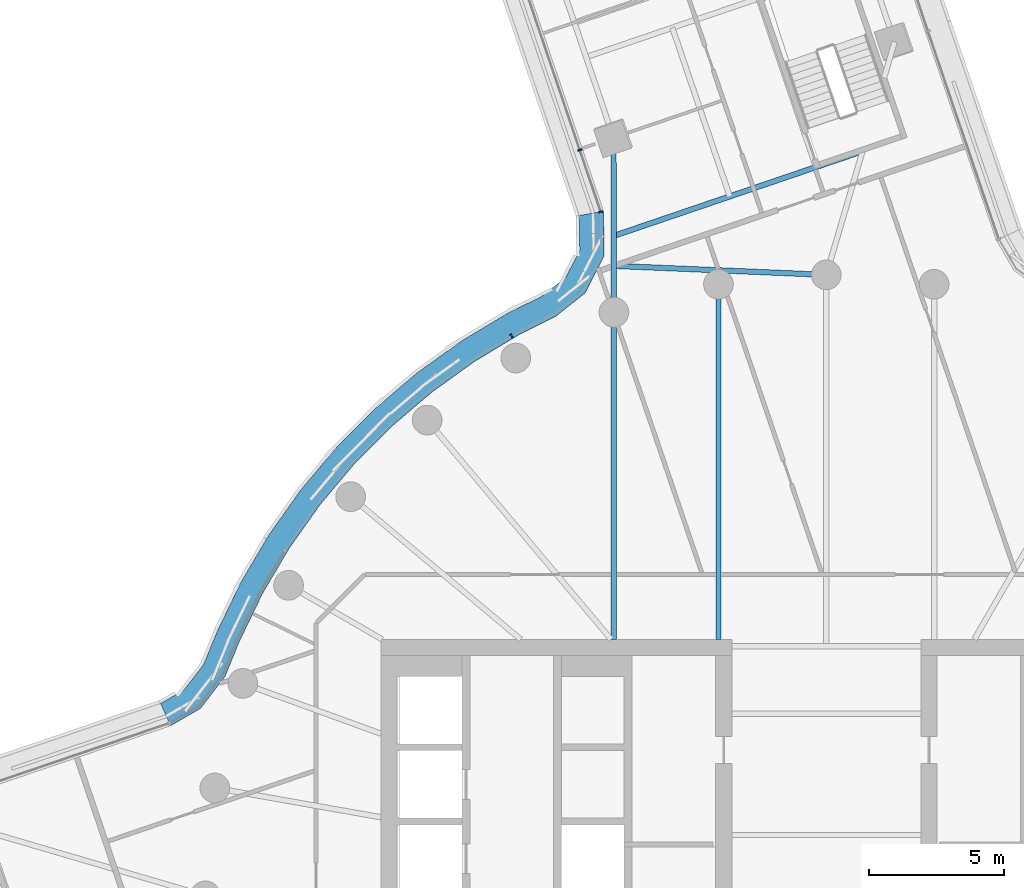
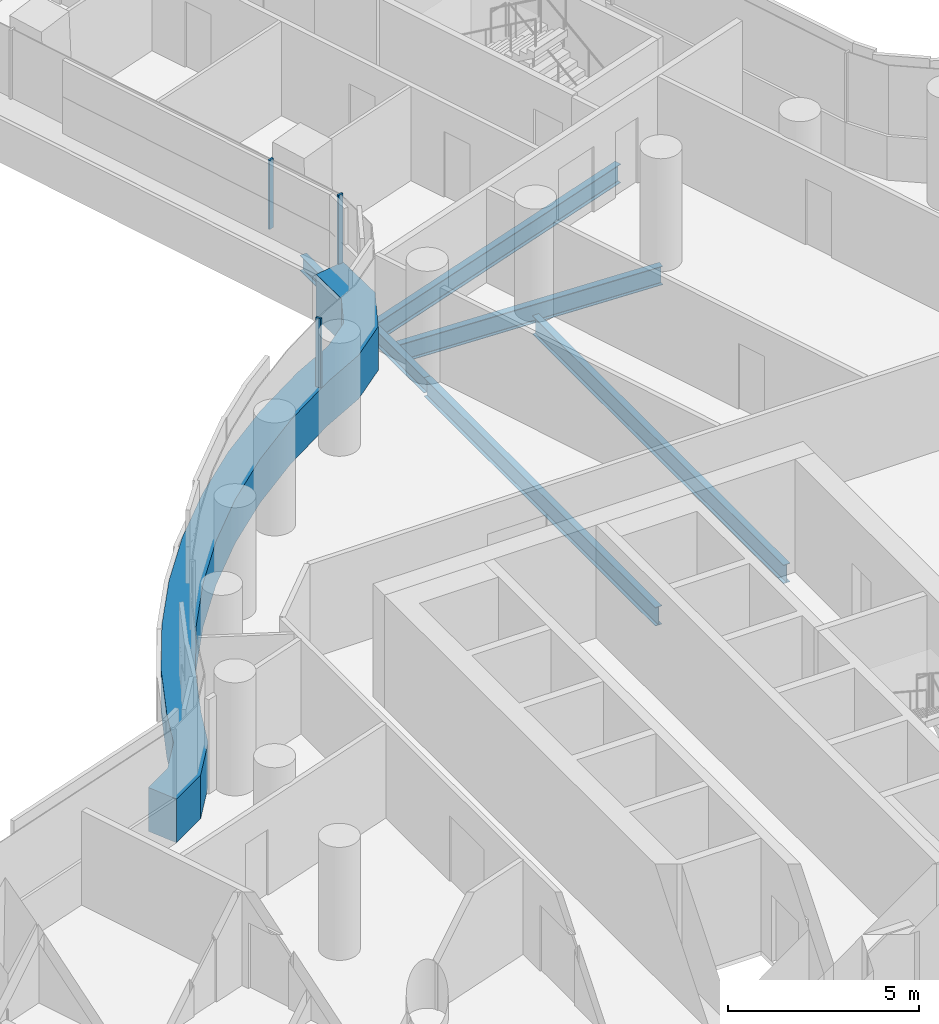
# One storey, part 12 of 29: 5 beams, 4 members, 2 elements without a shape of their own.
"""IFC4 building model written with IfcOpenShell, lengths in metres."""

from ifc_helpers import new_model, si_unit, direction, frame, origin, origin_2d, place, context, subcontext, project, spatial, polyline, rectangle, i_section, outline, extrude, material, layer, layer_set, material_profile, profile_set, type_object, element, aggregate, save


model = new_model("IFC4")

# Units and contexts
model_context = context("Model", 3, precision=1e-05, world=origin(), true_north=direction((0.0, 1.0)))
body_context = subcontext(model_context, "Body", "Model", "MODEL_VIEW")
ifc_project = project(units=[si_unit("LENGTHUNIT", "METRE"), si_unit("AREAUNIT", "SQUARE_METRE"), si_unit("VOLUMEUNIT", "CUBIC_METRE"), si_unit("PLANEANGLEUNIT", "RADIAN"), si_unit("MASSUNIT", "GRAM", prefix="KILO")], contexts=[model_context])

# Site, building, storey
site_placement = place(None, origin())
site = spatial("IfcSite", under=ifc_project, at=site_placement, CompositionType="ELEMENT")
building_placement = place(site_placement, origin())
building = spatial("IfcBuilding", under=site, at=building_placement, Name="Tamarind Cross Interchange Tower", CompositionType="ELEMENT")
storey_placement = place(building_placement, frame((0.0, 0.0, 102.25)))
storey = spatial("IfcBuildingStorey", under=building, at=storey_placement, Name="L24", CompositionType="ELEMENT", Elevation=102.25)

# Beams
ifc_material_1 = material(Name="Steel Q355B", Category="steel")
ifc_material_profile_1 = material_profile(ifc_material_1, i_section(OverallWidth=0.198974609375, OverallDepth=0.49609375, WebThickness=0.009033203125, FlangeThickness=0.013916015625, FilletRadius=0.012939453125, at=origin_2d()), Name="HN 496x199x9x14")
ifc_profile_set_1 = profile_set([ifc_material_profile_1], Name="Steel Q355B")
beam_type_1 = type_object("IfcBeamType", Name="Composite beam HN 496x199x9x14 Q355B", PredefinedType="BEAM", material=ifc_profile_set_1)
beam_1_placement = place(storey_placement, frame((-7.882080078125, 28.083740234375, -0.387939453125), z_axis=(0.002414722812, -0.999997084553, 0.0), x_axis=(0.999997084553, 0.002414722812, 0.0)))
element("IfcBeam", 1, at=beam_1_placement, inside=storey, type_object=beam_type_1, Name="Beam N-linkep", PredefinedType="BEAM", context=body_context, shape_type="SweptSolid", body=[
    extrude(i_section(OverallWidth=0.198974609375, OverallDepth=0.49609375, WebThickness=0.009033203125, FlangeThickness=0.013916015625, FilletRadius=0.012939453125, at=origin_2d()), origin(), (0.0, 0.0, 1.0), 6.470703125),
])
ifc_material_profile_2 = material_profile(ifc_material_1, i_section(OverallWidth=0.198974609375, OverallDepth=0.595947265625, WebThickness=0.010009765625, FlangeThickness=0.014892578125, FilletRadius=0.012939453125, at=origin_2d()), Name="HN 596x199x10x15")
ifc_profile_set_2 = profile_set([ifc_material_profile_2], Name="Steel Q355B")
beam_type_2 = type_object("IfcBeamType", Name="Composite beam HN 596x199x10x15 Q355B", PredefinedType="BEAM", material=ifc_profile_set_2)
beam_2_placement = place(storey_placement, frame((-3.993896484375, 22.650634765625, -0.43798828125), z_axis=(0.0, -1.0, 0.0), x_axis=(1.0, 0.0, 0.0)))
element("IfcBeam", 2, at=beam_2_placement, inside=storey, type_object=beam_type_2, Name="Beam HH10", PredefinedType="BEAM", context=body_context, shape_type="SweptSolid", body=[
    extrude(i_section(OverallWidth=0.198974609375, OverallDepth=0.595947265625, WebThickness=0.010009765625, FlangeThickness=0.014892578125, FilletRadius=0.012939453125, at=origin_2d()), origin(), (0.0, 0.0, 1.0), 13.150634765625),
])
beam_3_placement = place(storey_placement, frame((-7.866455078125, 21.613037109375, -0.43798828125), z_axis=(0.0, -1.0, 0.0), x_axis=(1.0, 0.0, 0.0)))
element("IfcBeam", 3, at=beam_3_placement, inside=storey, type_object=beam_type_2, Name="Beam HH11", PredefinedType="BEAM", context=body_context, shape_type="SweptSolid", body=[
    extrude(i_section(OverallWidth=0.198974609375, OverallDepth=0.595947265625, WebThickness=0.010009765625, FlangeThickness=0.014892578125, FilletRadius=0.012939453125, at=origin_2d()), origin(), (0.0, 0.0, 1.0), 12.113037109375),
])
ifc_material_profile_3 = material_profile(ifc_material_1, i_section(OverallWidth=0.199951171875, OverallDepth=0.60009765625, WebThickness=0.010986328125, FlangeThickness=0.01708984375, FilletRadius=0.012939453125, at=origin_2d()), Name="HN 600x200x11x17")
ifc_profile_set_3 = profile_set([ifc_material_profile_3], Name="Steel Q355B")
beam_type_3 = type_object("IfcBeamType", Name="Composite beam HN 600x200x11x17 Q355B", PredefinedType="BEAM", material=ifc_profile_set_3)
beam_4_placement = place(storey_placement, frame((1.34326171875, 27.5810546875, -0.43994140625), z_axis=(-0.946614744242, -0.32236706715, 0.0), x_axis=(0.32236706715, -0.946614744242, 0.0)))
element("IfcBeam", 4, at=beam_4_placement, inside=storey, type_object=beam_type_3, Name="Beam N-x268", PredefinedType="BEAM", context=body_context, shape_type="SweptSolid", body=[
    extrude(i_section(OverallWidth=0.199951171875, OverallDepth=0.60009765625, WebThickness=0.010986328125, FlangeThickness=0.01708984375, FilletRadius=0.012939453125, at=origin_2d()), origin(), (0.0, 0.0, 1.0), 9.736328125),
])
beam_5_placement = place(storey_placement, frame((0.0, 23.0, -0.43994140625), z_axis=(-0.999100875188, 0.042396240376, 0.0), x_axis=(-0.042396240376, -0.999100875188, 0.0)))
element("IfcBeam", 5, at=beam_5_placement, inside=storey, type_object=beam_type_3, Name="Beam N-x258", PredefinedType="BEAM", context=body_context, shape_type="SweptSolid", body=[
    extrude(i_section(OverallWidth=0.199951171875, OverallDepth=0.60009765625, WebThickness=0.010986328125, FlangeThickness=0.01708984375, FilletRadius=0.012939453125, at=origin_2d()), origin(), (0.0, 0.0, 1.0), 7.877685546875),
])

# Curtain wall, member
ifc_material_2 = material(Name="Aluminium 6063-T6", Category="aluminium")
ifc_layer = layer(ifc_material_2, 0.159912109375)
ifc_layer_set = layer_set([ifc_layer], Name="Aluminium 6063-T6")
curtain_wall_type = type_object("IfcCurtainWallType", Name="Office curtain wall, 9.0 m bays", PredefinedType="NOTDEFINED", material=ifc_layer_set)
curtain_wall_1_placement = place(storey_placement, origin())
curtain_wall_1 = element("IfcCurtainWall", 6, at=curtain_wall_1_placement, inside=storey, type_object=curtain_wall_type, Name="CWS-L24-14", PredefinedType="NOTDEFINED")
ifc_material_3 = material(Name="Aluminium and insulated spandrel panel", Category="aluminium")
member_type_1 = type_object("IfcMemberType", Name="Floor-edge blade transom", PredefinedType="USERDEFINED", material=ifc_material_3)
member_1_placement = place(storey_placement, origin())
member_1 = element("IfcMember", 7, at=member_1_placement, type_object=member_type_1, Name="CWT-L24-14", ObjectType="TRANSOM", PredefinedType="USERDEFINED", context=body_context, shape_type="SweptSolid", body=[
    extrude(outline(polyline([(-8.251220703125, 25.35595703125), (-8.227783203125, 23.705810546875), (-8.93310546875, 22.329345703125), (-10.029541015625, 21.454833984375), (-11.3671875, 20.791015625), (-13.045654296875, 19.78125), (-14.634521484375, 18.636474609375), (-16.12353515625, 17.3642578125), (-17.50244140625, 15.973388671875), (-18.76171875, 14.4736328125), (-19.892822265625, 12.874755859375), (-20.88818359375, 11.188232421875), (-21.741943359375, 9.422119140625), (-22.277099609375, 8.116943359375), (-23.184326171875, 6.938720703125), (-24.28466796875, 6.2998046875), (-24.659423828125, 7.123046875), (-23.789306640625, 7.6279296875), (-23.06396484375, 8.5703125), (-22.564208984375, 9.7890625), (-21.68212890625, 11.613525390625), (-20.64892578125, 13.3642578125), (-19.474853515625, 15.023681640625), (-18.167724609375, 16.580810546875), (-16.736572265625, 18.0244140625), (-15.19091796875, 19.344970703125), (-13.54150390625, 20.533203125), (-11.800048828125, 21.5810546875), (-10.515625, 22.21826171875), (-9.645751953125, 22.912109375), (-9.130859375, 23.9169921875), (-9.149169921875, 25.201416015625), (-8.251220703125, 25.35595703125)])), origin(), (0.0, 0.0, 1.0), 1.39990234375),
])

curtain_wall_2_placement = place(storey_placement, origin())
curtain_wall_2 = element("IfcCurtainWall", 8, at=curtain_wall_2_placement, inside=storey, type_object=curtain_wall_type, Name="CWS-L24-13", PredefinedType="NOTDEFINED")
ifc_material_profile_4 = material_profile(ifc_material_2, rectangle(XDim=0.06005859375, YDim=0.159912109375, at=origin_2d()), Name="Mullion CW1")
ifc_profile_set_4 = profile_set([ifc_material_profile_4], Name="Aluminium 6063-T6")
member_type_2 = type_object("IfcMemberType", Name="Mullion CW1", PredefinedType="MULLION", material=ifc_profile_set_4)
member_2_placement = place(storey_placement, frame((-9.12646484375, 27.627197265625, 1.39990234375), z_axis=(0.0, 0.0, 1.0), x_axis=(0.320959297445, -0.947092988773, 0.0)))
member_2 = element("IfcMember", 9, at=member_2_placement, type_object=member_type_2, Name="CWM-L24-13-02", PredefinedType="MULLION", context=body_context, shape_type="SweptSolid", body=[
    extrude(rectangle(XDim=0.06005859375, YDim=0.159912109375, at=origin_2d()), origin(), (0.0, 0.0, 1.0), 2.210205078125),
])
aggregate(curtain_wall_2, [member_2])

# Member
member_3_placement = place(storey_placement, frame((-8.350830078125, 25.3388671875, 1.39990234375), z_axis=(0.0, 0.0, 1.0), x_axis=(0.169628120607, -0.985508143396, 0.0)))
member_3 = element("IfcMember", 10, at=member_3_placement, type_object=member_type_2, Name="CWM-L24-14-00", PredefinedType="MULLION", context=body_context, shape_type="SweptSolid", body=[
    extrude(rectangle(XDim=0.06005859375, YDim=0.159912109375, at=origin_2d()), origin(), (0.0, 0.0, 1.0), 2.210205078125),
])

member_4_placement = place(storey_placement, frame((-11.65625, 20.73388671875, 1.39990234375), z_axis=(0.0, 0.0, 1.0), x_axis=(-0.856843065292, -0.515577308909, 0.0)))
member_4 = element("IfcMember", 11, at=member_4_placement, type_object=member_type_2, Name="CWM-L24-14-01", PredefinedType="MULLION", context=body_context, shape_type="SweptSolid", body=[
    extrude(rectangle(XDim=0.06005859375, YDim=0.159912109375, at=origin_2d()), origin(), (0.0, 0.0, 1.0), 2.210205078125),
])

aggregate(curtain_wall_1, [member_3, member_4, member_1])

save(model, "model.ifc")
